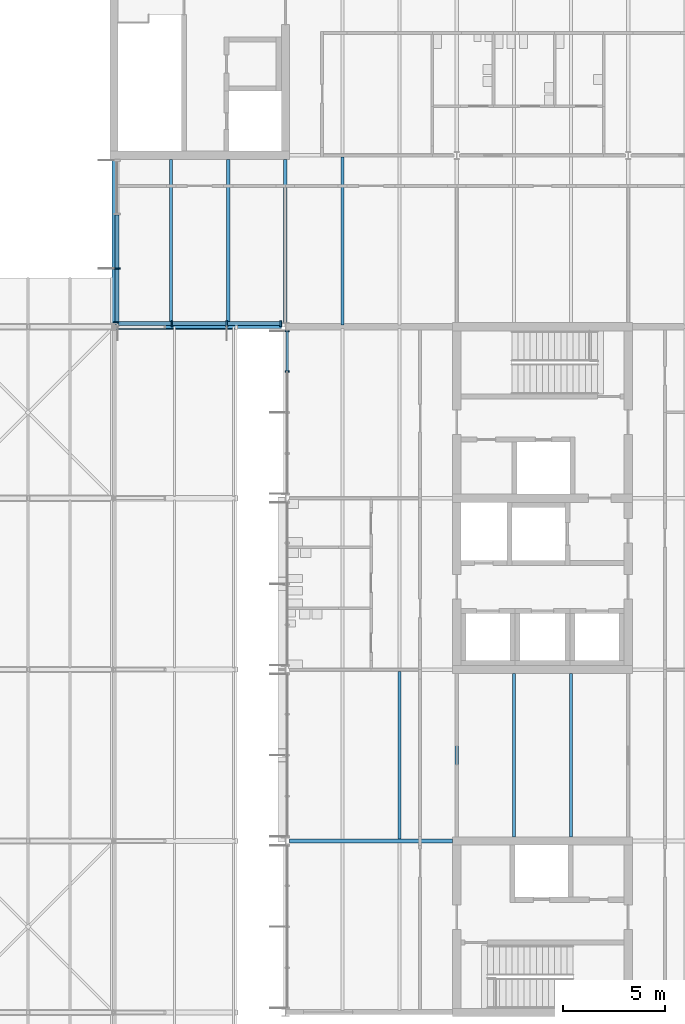
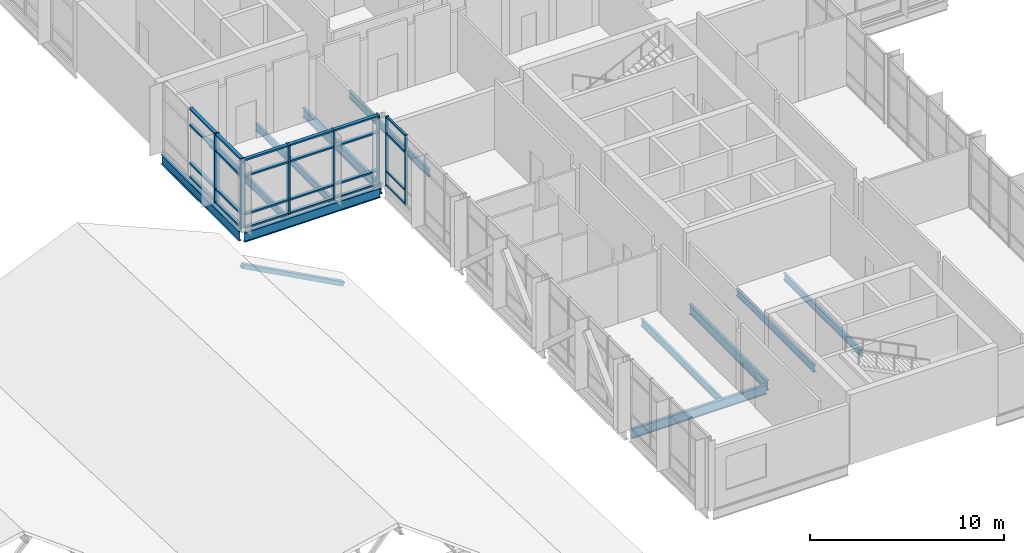
# One storey, part 18 of 76: 31 members, 12 beams, 3 elements without a shape of their own.
"""IFC4 building model written with IfcOpenShell, lengths in metres."""

from ifc_helpers import new_model, si_unit, direction, frame, origin, origin_2d, place, context, subcontext, project, spatial, rectangle, hollow_rectangle, i_section, extrude, material, material_profile, profile_set, type_object, element, aggregate, save


model = new_model("IFC4")

# Units and contexts
model_context = context("Model", 3, precision=1e-05, world=origin(), true_north=direction((0.0, 1.0)))
body_context = subcontext(model_context, "Body", "Model", "MODEL_VIEW")
ifc_project = project(units=[si_unit("LENGTHUNIT", "METRE"), si_unit("AREAUNIT", "SQUARE_METRE"), si_unit("VOLUMEUNIT", "CUBIC_METRE"), si_unit("PLANEANGLEUNIT", "RADIAN"), si_unit("MASSUNIT", "GRAM", prefix="KILO")], contexts=[model_context])

# Site, building, storey
site_placement = place(None, origin())
site = spatial("IfcSite", under=ifc_project, at=site_placement, CompositionType="ELEMENT")
building_placement = place(site_placement, origin())
building = spatial("IfcBuilding", under=site, at=building_placement, Name="Hlaing Beacon Police Headquarters", CompositionType="ELEMENT")
storey_placement = place(building_placement, frame((0.0, 0.0, 18.89990234375)))
storey = spatial("IfcBuildingStorey", under=building, at=storey_placement, Name="L04", CompositionType="ELEMENT", Elevation=18.89990234375)

# Beams
ifc_material_1 = material(Name="Steel ASTM A992 Grade 50", Category="steel")
ifc_material_profile_1 = material_profile(ifc_material_1, i_section(OverallWidth=0.177978515625, OverallDepth=0.599365234375, WebThickness=0.010009765625, FlangeThickness=0.012939453125, FilletRadius=0.012939453125, at=origin_2d()), Name="W24x55")
ifc_profile_set_1 = profile_set([ifc_material_profile_1], Name="Steel ASTM A992 Grade 50")
beam_type_1 = type_object("IfcBeamType", Name="Girder W24x55", PredefinedType="BEAM", material=ifc_profile_set_1)
beam_1_placement = place(storey_placement, frame((100.998046875, 42.0, -0.4296875), z_axis=(1.0, 0.0, 0.0), x_axis=(0.0, 1.0, 0.0)))
element("IfcBeam", 1, at=beam_1_placement, inside=storey, type_object=beam_type_1, Name="STR-BM-L04-GX-N6-P6", PredefinedType="BEAM", context=body_context, shape_type="SweptSolid", body=[
    extrude(i_section(OverallWidth=0.177978515625, OverallDepth=0.599365234375, WebThickness=0.010009765625, FlangeThickness=0.012939453125, FilletRadius=0.012939453125, at=origin_2d()), origin(), (0.0, 0.0, 1.0), 8.001953125),
])
beam_2_placement = place(storey_placement, frame((92.527099609375, 67.199951171875, -0.4296875), z_axis=(1.0, 0.0, 0.0), x_axis=(0.0, 1.0, 0.0)))
element("IfcBeam", 2, at=beam_2_placement, inside=storey, type_object=beam_type_1, Name="STR-BM-L04-GX-M9-N9", PredefinedType="BEAM", context=body_context, shape_type="SweptSolid", body=[
    extrude(i_section(OverallWidth=0.177978515625, OverallDepth=0.599365234375, WebThickness=0.010009765625, FlangeThickness=0.012939453125, FilletRadius=0.012939453125, at=origin_2d()), origin(), (0.0, 0.0, 1.0), 8.0859375),
])
beam_3_placement = place(storey_placement, frame((92.39990234375, 67.376953125, -0.4296875), z_axis=(0.0, 1.0, 0.0), x_axis=(-1.0, 0.0, 0.0)))
element("IfcBeam", 3, at=beam_3_placement, inside=storey, type_object=beam_type_1, Name="STR-BM-L04-GY-M9-M10", PredefinedType="BEAM", context=body_context, shape_type="SweptSolid", body=[
    extrude(i_section(OverallWidth=0.177978515625, OverallDepth=0.599365234375, WebThickness=0.010009765625, FlangeThickness=0.012939453125, FilletRadius=0.012939453125, at=origin_2d()), origin(), (0.0, 0.0, 1.0), 8.02294921875),
])
beam_4_placement = place(storey_placement, frame((100.800048828125, 67.386962890625, -0.4296875), z_axis=(0.0, 1.0, 0.0), x_axis=(-1.0, 0.0, 0.0)))
element("IfcBeam", 4, at=beam_4_placement, inside=storey, type_object=beam_type_1, Name="STR-BM-L04-GY-N9-N10", PredefinedType="BEAM", context=body_context, shape_type="SweptSolid", body=[
    extrude(i_section(OverallWidth=0.177978515625, OverallDepth=0.599365234375, WebThickness=0.010009765625, FlangeThickness=0.012939453125, FilletRadius=0.012939453125, at=origin_2d()), origin(), (0.0, 0.0, 1.0), 8.012939453125),
])
beam_5_placement = place(storey_placement, frame((109.199951171875, 42.199951171875, -0.4296875), z_axis=(0.0, 1.0, 0.0), x_axis=(-1.0, 0.0, 0.0)))
element("IfcBeam", 5, at=beam_5_placement, inside=storey, type_object=beam_type_1, Name="STR-BM-L04-GY-P6-P7", PredefinedType="BEAM", context=body_context, shape_type="SweptSolid", body=[
    extrude(i_section(OverallWidth=0.177978515625, OverallDepth=0.599365234375, WebThickness=0.010009765625, FlangeThickness=0.012939453125, FilletRadius=0.012939453125, at=origin_2d()), origin(), (0.0, 0.0, 1.0), 8.0),
])

# Curtain wall, members
ifc_material_2 = material(Name="Aluminium frame with solar control glazing", Category="aluminium")
curtain_wall_type_1 = type_object("IfcCurtainWallType", Name="Unitised curtain wall 8.03 x 4.37", PredefinedType="NOTDEFINED", material=ifc_material_2)
curtain_wall_1_placement = place(storey_placement, origin())
curtain_wall_1 = element("IfcCurtainWall", 6, at=curtain_wall_1_placement, inside=storey, type_object=curtain_wall_type_1, Name="ENV-CW-L04-W019", PredefinedType="NOTDEFINED")
ifc_material_3 = material(Name="Aluminium", Category="aluminium")
ifc_material_profile_2 = material_profile(ifc_material_3, rectangle(XDim=0.199951171875, YDim=0.06005859375, at=origin_2d()), Name="Mullion 60x200")
ifc_profile_set_2 = profile_set([ifc_material_profile_2], Name="Aluminium")
member_type_1 = type_object("IfcMemberType", Name="Mullion 60x200", PredefinedType="MULLION", material=ifc_profile_set_2)
member_1_placement = place(storey_placement, frame((100.89990234375, 66.98583984375, 0.0), z_axis=(0.0, 0.0, 1.0), x_axis=(1.0, 0.0, 0.0)))
member_1 = element("IfcMember", 7, at=member_1_placement, type_object=member_type_1, Name="CW-L04-W019 mullion 1", PredefinedType="MULLION", context=body_context, shape_type="SweptSolid", body=[
    extrude(rectangle(XDim=0.199951171875, YDim=0.06005859375, at=origin_2d()), origin(), (0.0, 0.0, 1.0), 4.3701171875),
])
member_2_placement = place(storey_placement, frame((100.89990234375, 65.009033203125, 0.0), z_axis=(0.0, 0.0, 1.0), x_axis=(1.0, 0.0, 0.0)))
member_2 = element("IfcMember", 8, at=member_2_placement, type_object=member_type_1, Name="CW-L04-W019 mullion 2", PredefinedType="MULLION", context=body_context, shape_type="SweptSolid", body=[
    extrude(rectangle(XDim=0.199951171875, YDim=0.06005859375, at=origin_2d()), origin(), (0.0, 0.0, 1.0), 4.3701171875),
])

ifc_material_4 = material(Name="Aluminium frame with solar control glazing", Category="aluminium")
curtain_wall_type_2 = type_object("IfcCurtainWallType", Name="Structural glazed gable wall 8.02 x 4.37", PredefinedType="NOTDEFINED", material=ifc_material_4)
curtain_wall_2_placement = place(storey_placement, origin())
curtain_wall_2 = element("IfcCurtainWall", 9, at=curtain_wall_2_placement, inside=storey, type_object=curtain_wall_type_2, Name="ENV-CW-L04-W017", PredefinedType="NOTDEFINED")
ifc_material_5 = material(Name="Aluminium", Category="aluminium")
ifc_material_profile_3 = material_profile(ifc_material_5, rectangle(XDim=0.300048828125, YDim=0.080078125, at=origin_2d()), Name="Mullion 80x300")
ifc_profile_set_3 = profile_set([ifc_material_profile_3], Name="Aluminium")
member_type_2 = type_object("IfcMemberType", Name="Mullion 80x300", PredefinedType="MULLION", material=ifc_profile_set_3)
member_3_placement = place(storey_placement, frame((92.550048828125, 70.051025390625, 0.0), z_axis=(0.0, 0.0, 1.0), x_axis=(1.0, 0.0, 0.0)))
member_3 = element("IfcMember", 10, at=member_3_placement, type_object=member_type_2, Name="CW-L04-W017 mullion 3", PredefinedType="MULLION", context=body_context, shape_type="SweptSolid", body=[
    extrude(rectangle(XDim=0.300048828125, YDim=0.080078125, at=origin_2d()), origin(), (0.0, 0.0, 1.0), 4.3701171875),
])
member_4_placement = place(storey_placement, frame((92.550048828125, 67.41650390625, 0.0), z_axis=(0.0, 0.0, 1.0), x_axis=(1.0, 0.0, 0.0)))
member_4 = element("IfcMember", 11, at=member_4_placement, type_object=member_type_2, Name="CW-L04-W017 mullion 4", PredefinedType="MULLION", context=body_context, shape_type="SweptSolid", body=[
    extrude(rectangle(XDim=0.300048828125, YDim=0.080078125, at=origin_2d()), origin(), (0.0, 0.0, 1.0), 4.3701171875),
])

ifc_material_6 = material(Name="Aluminium frame with solar control glazing", Category="aluminium")
curtain_wall_type_3 = type_object("IfcCurtainWallType", Name="Structural glazed gable wall 8.06 x 4.37", PredefinedType="NOTDEFINED", material=ifc_material_6)
curtain_wall_3_placement = place(storey_placement, origin())
curtain_wall_3 = element("IfcCurtainWall", 12, at=curtain_wall_3_placement, inside=storey, type_object=curtain_wall_type_3, Name="ENV-CW-L04-S018", PredefinedType="NOTDEFINED")
member_5_placement = place(storey_placement, frame((95.23779296875, 67.35009765625, 0.0), z_axis=(0.0, 0.0, 1.0), x_axis=(0.0, 1.0, 0.0)))
member_5 = element("IfcMember", 13, at=member_5_placement, type_object=member_type_2, Name="CW-L04-S018 mullion 2", PredefinedType="MULLION", context=body_context, shape_type="SweptSolid", body=[
    extrude(rectangle(XDim=0.300048828125, YDim=0.080078125, at=origin_2d()), origin(), (0.0, 0.0, 1.0), 4.3701171875),
])
member_6_placement = place(storey_placement, frame((97.925537109375, 67.35009765625, 0.0), z_axis=(0.0, 0.0, 1.0), x_axis=(0.0, 1.0, 0.0)))
member_6 = element("IfcMember", 14, at=member_6_placement, type_object=member_type_2, Name="CW-L04-S018 mullion 3", PredefinedType="MULLION", context=body_context, shape_type="SweptSolid", body=[
    extrude(rectangle(XDim=0.300048828125, YDim=0.080078125, at=origin_2d()), origin(), (0.0, 0.0, 1.0), 4.3701171875),
])
member_7_placement = place(storey_placement, frame((100.5732421875, 67.35009765625, 0.0), z_axis=(0.0, 0.0, 1.0), x_axis=(0.0, 1.0, 0.0)))
member_7 = element("IfcMember", 15, at=member_7_placement, type_object=member_type_2, Name="CW-L04-S018 mullion 4", PredefinedType="MULLION", context=body_context, shape_type="SweptSolid", body=[
    extrude(rectangle(XDim=0.300048828125, YDim=0.080078125, at=origin_2d()), origin(), (0.0, 0.0, 1.0), 4.3701171875),
])

# Beams
ifc_material_7 = material(Name="Steel ASTM A992 Grade 50", Category="steel")
ifc_material_profile_4 = material_profile(ifc_material_7, i_section(OverallWidth=0.15234375, OverallDepth=0.449462890625, WebThickness=0.007568359375, FlangeThickness=0.0107421875, FilletRadius=0.01025390625, at=origin_2d()), Name="W18x35")
ifc_profile_set_4 = profile_set([ifc_material_profile_4], Name="Steel ASTM A992 Grade 50")
beam_type_2 = type_object("IfcBeamType", Name="Secondary beam W18x35", PredefinedType="BEAM", material=ifc_profile_set_4)
for number, where, z_axis, x_axis, name in (
    (16, (95.199951171875, 67.2890625, -0.354736328125), (0.0, 1.0, 0.0), (-1.0, 0.0, 0.0), "STR-BM-L04-SB-M9-y1"),
    (17, (98.0, 67.2890625, -0.354736328125), (0.0, 1.0, 0.0), (-1.0, 0.0, 0.0), "STR-BM-L04-SB-M9-y2"),
):
    element("IfcBeam", number, at=place(storey_placement, frame(where, z_axis=z_axis, x_axis=x_axis)), inside=storey, type_object=beam_type_2, Name=name, PredefinedType="BEAM", context=body_context, shape_type="SweptSolid", body=[
        extrude(i_section(OverallWidth=0.15234375, OverallDepth=0.449462890625, WebThickness=0.007568359375, FlangeThickness=0.0107421875, FilletRadius=0.01025390625, at=origin_2d()), origin(), (0.0, 0.0, 1.0), 8.11083984375),
    ])
for number, where, z_axis, x_axis, name in (
    (18, (106.39990234375, 42.089111328125, -0.354736328125), (0.0, 1.0, 0.0), (-1.0, 0.0, 0.0), "STR-BM-L04-SB-N6-y2"),
    (19, (103.60009765625, 67.2890625, -0.354736328125), (0.0, 1.0, 0.0), (-1.0, 0.0, 0.0), "STR-BM-L04-SB-N9-y1"),
):
    element("IfcBeam", number, at=place(storey_placement, frame(where, z_axis=z_axis, x_axis=x_axis)), inside=storey, type_object=beam_type_2, Name=name, PredefinedType="BEAM", context=body_context, shape_type="SweptSolid", body=[
        extrude(i_section(OverallWidth=0.15234375, OverallDepth=0.449462890625, WebThickness=0.007568359375, FlangeThickness=0.0107421875, FilletRadius=0.01025390625, at=origin_2d()), origin(), (0.0, 0.0, 1.0), 8.221923828125),
    ])
for number, where, z_axis, x_axis, name in (
    (20, (112.0, 42.199951171875, -0.354736328125), (0.0, 1.0, 0.0), (-1.0, 0.0, 0.0), "STR-BM-L04-SB-P6-y1"),
    (21, (114.800048828125, 42.199951171875, -0.354736328125), (0.0, 1.0, 0.0), (-1.0, 0.0, 0.0), "STR-BM-L04-SB-P6-y2"),
):
    element("IfcBeam", number, at=place(storey_placement, frame(where, z_axis=z_axis, x_axis=x_axis)), inside=storey, type_object=beam_type_2, Name=name, PredefinedType="BEAM", context=body_context, shape_type="SweptSolid", body=[
        extrude(i_section(OverallWidth=0.15234375, OverallDepth=0.449462890625, WebThickness=0.007568359375, FlangeThickness=0.0107421875, FilletRadius=0.01025390625, at=origin_2d()), origin(), (0.0, 0.0, 1.0), 8.0),
    ])

# Member
ifc_material_8 = material(Name="Aluminium", Category="aluminium")
ifc_material_profile_5 = material_profile(ifc_material_8, rectangle(XDim=0.1201171875, YDim=0.10009765625, at=origin_2d()), Name="Transom 120x100")
ifc_profile_set_5 = profile_set([ifc_material_profile_5], Name="Aluminium")
member_type_3 = type_object("IfcMemberType", Name="Transom 120x100", PredefinedType="USERDEFINED", material=ifc_profile_set_5)
member_8_placement = place(storey_placement, frame((100.89990234375, 66.955810546875, 0.050048828125), z_axis=(0.0, -1.0, 0.0), x_axis=(1.0, 0.0, 0.0)))
member_8 = element("IfcMember", 22, at=member_8_placement, type_object=member_type_3, Name="CW-L04-W019 transom 1.1", ObjectType="TRANSOM", PredefinedType="USERDEFINED", context=body_context, shape_type="SweptSolid", body=[
    extrude(rectangle(XDim=0.1201171875, YDim=0.10009765625, at=origin_2d()), origin(), (0.0, 0.0, 1.0), 1.9169921875),
])

member_9_placement = place(storey_placement, frame((100.89990234375, 66.955810546875, 0.900146484375), z_axis=(0.0, -1.0, 0.0), x_axis=(1.0, 0.0, 0.0)))
member_9 = element("IfcMember", 23, at=member_9_placement, type_object=member_type_3, Name="CW-L04-W019 transom 1.2", ObjectType="TRANSOM", PredefinedType="USERDEFINED", context=body_context, shape_type="SweptSolid", body=[
    extrude(rectangle(XDim=0.1201171875, YDim=0.10009765625, at=origin_2d()), origin(), (0.0, 0.0, 1.0), 1.9169921875),
])

member_10_placement = place(storey_placement, frame((100.89990234375, 66.955810546875, 3.300048828125), z_axis=(0.0, -1.0, 0.0), x_axis=(1.0, 0.0, 0.0)))
member_10 = element("IfcMember", 24, at=member_10_placement, type_object=member_type_3, Name="CW-L04-W019 transom 1.3", ObjectType="TRANSOM", PredefinedType="USERDEFINED", context=body_context, shape_type="SweptSolid", body=[
    extrude(rectangle(XDim=0.1201171875, YDim=0.10009765625, at=origin_2d()), origin(), (0.0, 0.0, 1.0), 1.9169921875),
])

member_11_placement = place(storey_placement, frame((100.89990234375, 66.955810546875, 4.320068359375), z_axis=(0.0, -1.0, 0.0), x_axis=(1.0, 0.0, 0.0)))
member_11 = element("IfcMember", 25, at=member_11_placement, type_object=member_type_3, Name="CW-L04-W019 transom 1.4", ObjectType="TRANSOM", PredefinedType="USERDEFINED", context=body_context, shape_type="SweptSolid", body=[
    extrude(rectangle(XDim=0.1201171875, YDim=0.10009765625, at=origin_2d()), origin(), (0.0, 0.0, 1.0), 1.9169921875),
])

aggregate(curtain_wall_1, [member_1, member_2, member_8, member_9, member_10, member_11])

ifc_material_9 = material(Name="Aluminium", Category="aluminium")
ifc_material_profile_6 = material_profile(ifc_material_9, rectangle(XDim=0.199951171875, YDim=0.10009765625, at=origin_2d()), Name="Transom 200x100")
ifc_profile_set_6 = profile_set([ifc_material_profile_6], Name="Aluminium")
member_type_4 = type_object("IfcMemberType", Name="Transom 200x100", PredefinedType="USERDEFINED", material=ifc_profile_set_6)
member_12_placement = place(storey_placement, frame((92.550048828125, 72.685546875, 0.050048828125), z_axis=(0.0, -1.0, 0.0), x_axis=(1.0, 0.0, 0.0)))
member_12 = element("IfcMember", 26, at=member_12_placement, type_object=member_type_4, Name="CW-L04-W017 transom 2.1", ObjectType="TRANSOM", PredefinedType="USERDEFINED", context=body_context, shape_type="SweptSolid", body=[
    extrude(rectangle(XDim=0.199951171875, YDim=0.10009765625, at=origin_2d()), origin(), (0.0, 0.0, 1.0), 2.594482421875),
])

member_13_placement = place(storey_placement, frame((92.550048828125, 72.685546875, 0.900146484375), z_axis=(0.0, -1.0, 0.0), x_axis=(1.0, 0.0, 0.0)))
member_13 = element("IfcMember", 27, at=member_13_placement, type_object=member_type_4, Name="CW-L04-W017 transom 2.2", ObjectType="TRANSOM", PredefinedType="USERDEFINED", context=body_context, shape_type="SweptSolid", body=[
    extrude(rectangle(XDim=0.199951171875, YDim=0.10009765625, at=origin_2d()), origin(), (0.0, 0.0, 1.0), 2.594482421875),
])

member_14_placement = place(storey_placement, frame((92.550048828125, 72.685546875, 3.300048828125), z_axis=(0.0, -1.0, 0.0), x_axis=(1.0, 0.0, 0.0)))
member_14 = element("IfcMember", 28, at=member_14_placement, type_object=member_type_4, Name="CW-L04-W017 transom 2.3", ObjectType="TRANSOM", PredefinedType="USERDEFINED", context=body_context, shape_type="SweptSolid", body=[
    extrude(rectangle(XDim=0.199951171875, YDim=0.10009765625, at=origin_2d()), origin(), (0.0, 0.0, 1.0), 2.594482421875),
])

member_15_placement = place(storey_placement, frame((92.550048828125, 72.685546875, 4.320068359375), z_axis=(0.0, -1.0, 0.0), x_axis=(1.0, 0.0, 0.0)))
member_15 = element("IfcMember", 29, at=member_15_placement, type_object=member_type_4, Name="CW-L04-W017 transom 2.4", ObjectType="TRANSOM", PredefinedType="USERDEFINED", context=body_context, shape_type="SweptSolid", body=[
    extrude(rectangle(XDim=0.199951171875, YDim=0.10009765625, at=origin_2d()), origin(), (0.0, 0.0, 1.0), 2.594482421875),
])

member_16_placement = place(storey_placement, frame((92.550048828125, 70.010986328125, 0.050048828125), z_axis=(0.0, -1.0, 0.0), x_axis=(1.0, 0.0, 0.0)))
member_16 = element("IfcMember", 30, at=member_16_placement, type_object=member_type_4, Name="CW-L04-W017 transom 3.1", ObjectType="TRANSOM", PredefinedType="USERDEFINED", context=body_context, shape_type="SweptSolid", body=[
    extrude(rectangle(XDim=0.199951171875, YDim=0.10009765625, at=origin_2d()), origin(), (0.0, 0.0, 1.0), 2.554443359375),
])

member_17_placement = place(storey_placement, frame((92.550048828125, 70.010986328125, 0.900146484375), z_axis=(0.0, -1.0, 0.0), x_axis=(1.0, 0.0, 0.0)))
member_17 = element("IfcMember", 31, at=member_17_placement, type_object=member_type_4, Name="CW-L04-W017 transom 3.2", ObjectType="TRANSOM", PredefinedType="USERDEFINED", context=body_context, shape_type="SweptSolid", body=[
    extrude(rectangle(XDim=0.199951171875, YDim=0.10009765625, at=origin_2d()), origin(), (0.0, 0.0, 1.0), 2.554443359375),
])

member_18_placement = place(storey_placement, frame((92.550048828125, 70.010986328125, 3.300048828125), z_axis=(0.0, -1.0, 0.0), x_axis=(1.0, 0.0, 0.0)))
member_18 = element("IfcMember", 32, at=member_18_placement, type_object=member_type_4, Name="CW-L04-W017 transom 3.3", ObjectType="TRANSOM", PredefinedType="USERDEFINED", context=body_context, shape_type="SweptSolid", body=[
    extrude(rectangle(XDim=0.199951171875, YDim=0.10009765625, at=origin_2d()), origin(), (0.0, 0.0, 1.0), 2.554443359375),
])

member_19_placement = place(storey_placement, frame((92.550048828125, 70.010986328125, 4.320068359375), z_axis=(0.0, -1.0, 0.0), x_axis=(1.0, 0.0, 0.0)))
member_19 = element("IfcMember", 33, at=member_19_placement, type_object=member_type_4, Name="CW-L04-W017 transom 3.4", ObjectType="TRANSOM", PredefinedType="USERDEFINED", context=body_context, shape_type="SweptSolid", body=[
    extrude(rectangle(XDim=0.199951171875, YDim=0.10009765625, at=origin_2d()), origin(), (0.0, 0.0, 1.0), 2.554443359375),
])

aggregate(curtain_wall_2, [member_3, member_4, member_12, member_13, member_14, member_15, member_16, member_17, member_18, member_19])

member_20_placement = place(storey_placement, frame((92.6298828125, 67.35009765625, 0.050048828125), z_axis=(1.0, 0.0, 0.0), x_axis=(0.0, 1.0, 0.0)))
member_20 = element("IfcMember", 34, at=member_20_placement, type_object=member_type_4, Name="CW-L04-S018 transom 1.1", ObjectType="TRANSOM", PredefinedType="USERDEFINED", context=body_context, shape_type="SweptSolid", body=[
    extrude(rectangle(XDim=0.199951171875, YDim=0.10009765625, at=origin_2d()), origin(), (0.0, 0.0, 1.0), 2.56787109375),
])

member_21_placement = place(storey_placement, frame((92.6298828125, 67.35009765625, 0.900146484375), z_axis=(1.0, 0.0, 0.0), x_axis=(0.0, 1.0, 0.0)))
member_21 = element("IfcMember", 35, at=member_21_placement, type_object=member_type_4, Name="CW-L04-S018 transom 1.2", ObjectType="TRANSOM", PredefinedType="USERDEFINED", context=body_context, shape_type="SweptSolid", body=[
    extrude(rectangle(XDim=0.199951171875, YDim=0.10009765625, at=origin_2d()), origin(), (0.0, 0.0, 1.0), 2.56787109375),
])

member_22_placement = place(storey_placement, frame((92.6298828125, 67.35009765625, 3.300048828125), z_axis=(1.0, 0.0, 0.0), x_axis=(0.0, 1.0, 0.0)))
member_22 = element("IfcMember", 36, at=member_22_placement, type_object=member_type_4, Name="CW-L04-S018 transom 1.3", ObjectType="TRANSOM", PredefinedType="USERDEFINED", context=body_context, shape_type="SweptSolid", body=[
    extrude(rectangle(XDim=0.199951171875, YDim=0.10009765625, at=origin_2d()), origin(), (0.0, 0.0, 1.0), 2.56787109375),
])

member_23_placement = place(storey_placement, frame((92.6298828125, 67.35009765625, 4.320068359375), z_axis=(1.0, 0.0, 0.0), x_axis=(0.0, 1.0, 0.0)))
member_23 = element("IfcMember", 37, at=member_23_placement, type_object=member_type_4, Name="CW-L04-S018 transom 1.4", ObjectType="TRANSOM", PredefinedType="USERDEFINED", context=body_context, shape_type="SweptSolid", body=[
    extrude(rectangle(XDim=0.199951171875, YDim=0.10009765625, at=origin_2d()), origin(), (0.0, 0.0, 1.0), 2.56787109375),
])

member_24_placement = place(storey_placement, frame((95.27783203125, 67.35009765625, 0.050048828125), z_axis=(1.0, 0.0, 0.0), x_axis=(0.0, 1.0, 0.0)))
member_24 = element("IfcMember", 38, at=member_24_placement, type_object=member_type_4, Name="CW-L04-S018 transom 2.1", ObjectType="TRANSOM", PredefinedType="USERDEFINED", context=body_context, shape_type="SweptSolid", body=[
    extrude(rectangle(XDim=0.199951171875, YDim=0.10009765625, at=origin_2d()), origin(), (0.0, 0.0, 1.0), 2.607666015625),
])

member_25_placement = place(storey_placement, frame((95.27783203125, 67.35009765625, 0.900146484375), z_axis=(1.0, 0.0, 0.0), x_axis=(0.0, 1.0, 0.0)))
member_25 = element("IfcMember", 39, at=member_25_placement, type_object=member_type_4, Name="CW-L04-S018 transom 2.2", ObjectType="TRANSOM", PredefinedType="USERDEFINED", context=body_context, shape_type="SweptSolid", body=[
    extrude(rectangle(XDim=0.199951171875, YDim=0.10009765625, at=origin_2d()), origin(), (0.0, 0.0, 1.0), 2.607666015625),
])

member_26_placement = place(storey_placement, frame((95.27783203125, 67.35009765625, 3.300048828125), z_axis=(1.0, 0.0, 0.0), x_axis=(0.0, 1.0, 0.0)))
member_26 = element("IfcMember", 40, at=member_26_placement, type_object=member_type_4, Name="CW-L04-S018 transom 2.3", ObjectType="TRANSOM", PredefinedType="USERDEFINED", context=body_context, shape_type="SweptSolid", body=[
    extrude(rectangle(XDim=0.199951171875, YDim=0.10009765625, at=origin_2d()), origin(), (0.0, 0.0, 1.0), 2.607666015625),
])

member_27_placement = place(storey_placement, frame((95.27783203125, 67.35009765625, 4.320068359375), z_axis=(1.0, 0.0, 0.0), x_axis=(0.0, 1.0, 0.0)))
member_27 = element("IfcMember", 41, at=member_27_placement, type_object=member_type_4, Name="CW-L04-S018 transom 2.4", ObjectType="TRANSOM", PredefinedType="USERDEFINED", context=body_context, shape_type="SweptSolid", body=[
    extrude(rectangle(XDim=0.199951171875, YDim=0.10009765625, at=origin_2d()), origin(), (0.0, 0.0, 1.0), 2.607666015625),
])

member_28_placement = place(storey_placement, frame((97.965576171875, 67.35009765625, 0.050048828125), z_axis=(1.0, 0.0, 0.0), x_axis=(0.0, 1.0, 0.0)))
member_28 = element("IfcMember", 42, at=member_28_placement, type_object=member_type_4, Name="CW-L04-S018 transom 3.1", ObjectType="TRANSOM", PredefinedType="USERDEFINED", context=body_context, shape_type="SweptSolid", body=[
    extrude(rectangle(XDim=0.199951171875, YDim=0.10009765625, at=origin_2d()), origin(), (0.0, 0.0, 1.0), 2.567626953125),
])

member_29_placement = place(storey_placement, frame((97.965576171875, 67.35009765625, 0.900146484375), z_axis=(1.0, 0.0, 0.0), x_axis=(0.0, 1.0, 0.0)))
member_29 = element("IfcMember", 43, at=member_29_placement, type_object=member_type_4, Name="CW-L04-S018 transom 3.2", ObjectType="TRANSOM", PredefinedType="USERDEFINED", context=body_context, shape_type="SweptSolid", body=[
    extrude(rectangle(XDim=0.199951171875, YDim=0.10009765625, at=origin_2d()), origin(), (0.0, 0.0, 1.0), 2.567626953125),
])

member_30_placement = place(storey_placement, frame((97.965576171875, 67.35009765625, 3.300048828125), z_axis=(1.0, 0.0, 0.0), x_axis=(0.0, 1.0, 0.0)))
member_30 = element("IfcMember", 44, at=member_30_placement, type_object=member_type_4, Name="CW-L04-S018 transom 3.3", ObjectType="TRANSOM", PredefinedType="USERDEFINED", context=body_context, shape_type="SweptSolid", body=[
    extrude(rectangle(XDim=0.199951171875, YDim=0.10009765625, at=origin_2d()), origin(), (0.0, 0.0, 1.0), 2.567626953125),
])

member_31_placement = place(storey_placement, frame((97.965576171875, 67.35009765625, 4.320068359375), z_axis=(1.0, 0.0, 0.0), x_axis=(0.0, 1.0, 0.0)))
member_31 = element("IfcMember", 45, at=member_31_placement, type_object=member_type_4, Name="CW-L04-S018 transom 3.4", ObjectType="TRANSOM", PredefinedType="USERDEFINED", context=body_context, shape_type="SweptSolid", body=[
    extrude(rectangle(XDim=0.199951171875, YDim=0.10009765625, at=origin_2d()), origin(), (0.0, 0.0, 1.0), 2.567626953125),
])

aggregate(curtain_wall_3, [member_5, member_6, member_7, member_20, member_21, member_22, member_23, member_24, member_25, member_26, member_27, member_28, member_29, member_30, member_31])

# Beam
ifc_material_10 = material(Name="Steel ASTM A500 Grade C", Category="steel")
ifc_material_profile_7 = material_profile(ifc_material_10, hollow_rectangle(XDim=0.25390625, YDim=0.25390625, WallThickness=0.015869140625, at=origin_2d()), Name="HSS10x10x5/8")
ifc_profile_set_7 = profile_set([ifc_material_profile_7], Name="Steel ASTM A500 Grade C")
beam_type_3 = type_object("IfcBeamType", Name="Truss top chord HSS10x10x5/8", PredefinedType="BEAM", material=ifc_profile_set_7)
beam_6_placement = place(storey_placement, frame((92.39990234375, 67.199951171875, -2.169189453125), z_axis=(0.881639912586, 0.0, -0.47192273153), x_axis=(0.0, 1.0, 0.0)))
element("IfcBeam", 46, at=beam_6_placement, inside=storey, type_object=beam_type_3, Name="STR-RT-V1-T5-TC10", PredefinedType="BEAM", context=body_context, shape_type="SweptSolid", body=[
    extrude(hollow_rectangle(XDim=0.25390625, YDim=0.25390625, WallThickness=0.015869140625, at=origin_2d()), origin(), (0.0, 0.0, 1.0), 6.805419921875),
])

save(model, "model.ifc")
